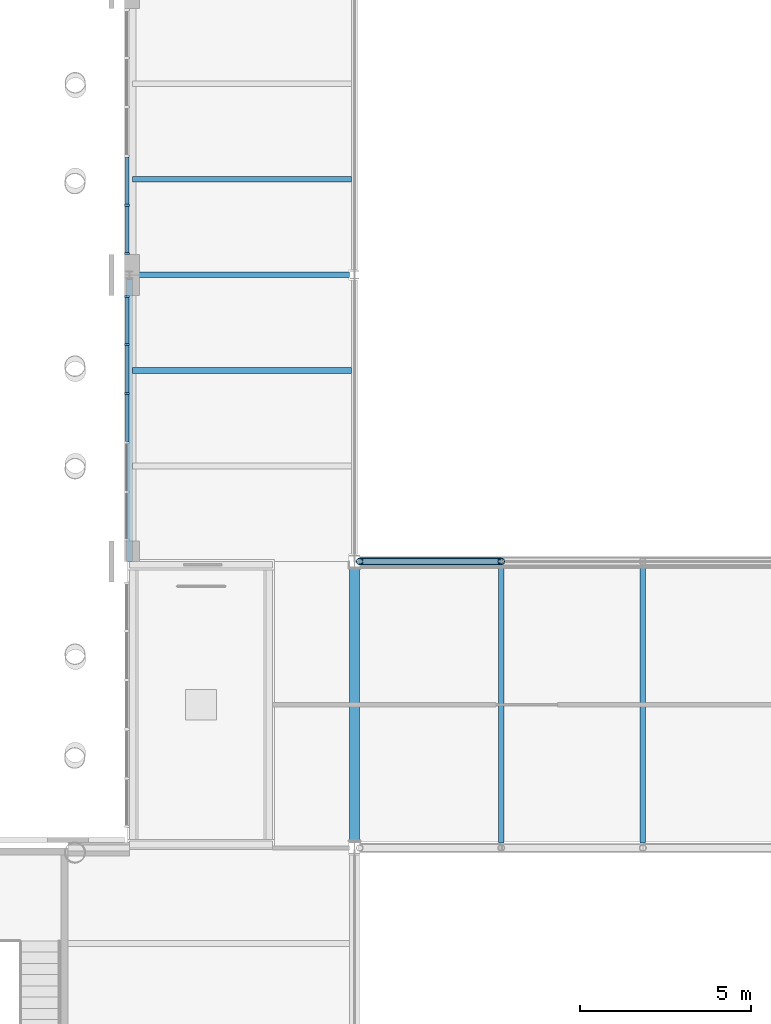
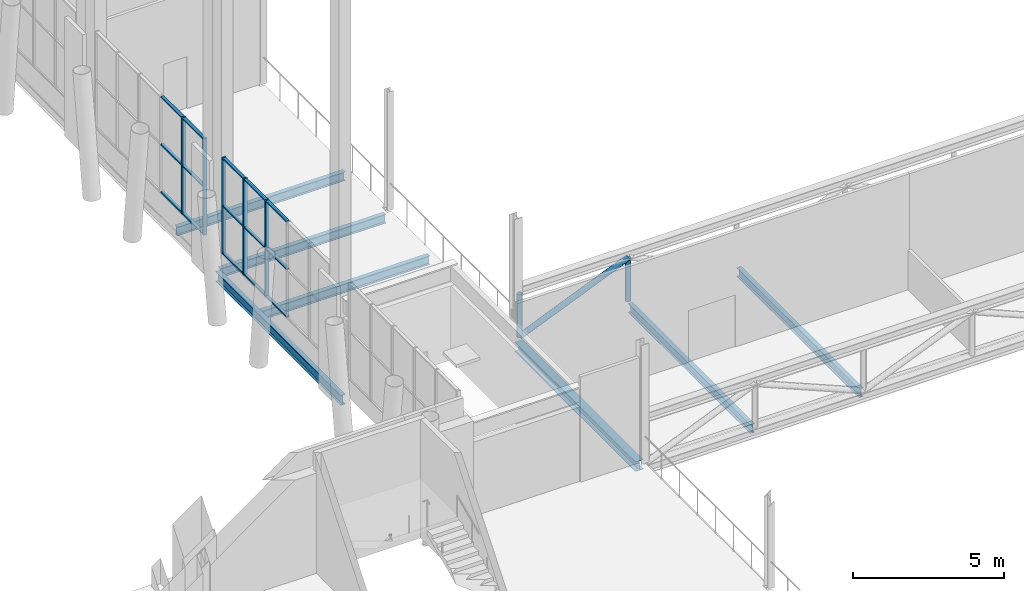
# One storey, part 15 of 76: 23 members, 7 beams, 2 elements without a shape of their own.
"""IFC4 building model written with IfcOpenShell, lengths in metres."""

from ifc_helpers import new_model, si_unit, direction, frame, origin, origin_2d, place, context, subcontext, project, spatial, rectangle, hollow_circle, i_section, extrude, material, material_profile, profile_set, type_object, element, aggregate, save


model = new_model("IFC4")

# Units and contexts
model_context = context("Model", 3, precision=1e-05, world=origin(), true_north=direction((0.0, 1.0)))
body_context = subcontext(model_context, "Body", "Model", "MODEL_VIEW")
ifc_project = project(units=[si_unit("LENGTHUNIT", "METRE"), si_unit("AREAUNIT", "SQUARE_METRE"), si_unit("VOLUMEUNIT", "CUBIC_METRE"), si_unit("PLANEANGLEUNIT", "RADIAN"), si_unit("MASSUNIT", "GRAM", prefix="KILO")], contexts=[model_context])

# Site, building, storey
site_placement = place(None, origin())
site = spatial("IfcSite", under=ifc_project, at=site_placement, CompositionType="ELEMENT")
building_placement = place(site_placement, origin())
building = spatial("IfcBuilding", under=site, at=building_placement, Name="Sava Quay Ferry Terminal", CompositionType="ELEMENT")
storey_placement = place(building_placement, frame((0.0, 0.0, 6.0)))
storey = spatial("IfcBuildingStorey", under=building, at=storey_placement, Name="L01", CompositionType="ELEMENT", Elevation=6.0)

# Beams
ifc_material_1 = material(Name="Steel S355", Category="steel")
ifc_material_profile_1 = material_profile(ifc_material_1, i_section(OverallWidth=0.169921875, OverallDepth=0.360107421875, WebThickness=0.008056640625, FlangeThickness=0.0126953125, at=origin_2d()), Name="IPE 360")
ifc_profile_set_1 = profile_set([ifc_material_profile_1], Name="Steel S355")
beam_type_1 = type_object("IfcBeamType", Name="Beam IPE 360", PredefinedType="BEAM", material=ifc_profile_set_1)
beam_1_placement = place(storey_placement, frame((43.919921875, 67.199951171875, -0.31005859375), z_axis=(1.0, 0.0, 0.0), x_axis=(0.0, 1.0, 0.0)))
element("IfcBeam", 1, at=beam_1_placement, inside=storey, type_object=beam_type_1, Name="Beam L01", PredefinedType="BEAM", context=body_context, shape_type="SweptSolid", body=[
    extrude(i_section(OverallWidth=0.169921875, OverallDepth=0.360107421875, WebThickness=0.008056640625, FlangeThickness=0.0126953125, at=origin_2d()), origin(), (0.0, 0.0, 1.0), 6.330078125),
])
for number, where, z_axis, x_axis, name in (
    (2, (43.889892578125, 64.39990234375, -0.31005859375), (1.0, 0.0, 0.0), (0.0, 1.0, 0.0), "Secondary beam L01"),
    (3, (43.889892578125, 70.0, -0.31005859375), (1.0, 0.0, 0.0), (0.0, 1.0, 0.0), "Secondary beam L01"),
):
    element("IfcBeam", number, at=place(storey_placement, frame(where, z_axis=z_axis, x_axis=x_axis)), inside=storey, type_object=beam_type_1, Name=name, PredefinedType="BEAM", context=body_context, shape_type="SweptSolid", body=[
        extrude(i_section(OverallWidth=0.169921875, OverallDepth=0.360107421875, WebThickness=0.008056640625, FlangeThickness=0.0126953125, at=origin_2d()), origin(), (0.0, 0.0, 1.0), 6.420166015625),
    ])
for number, where, z_axis, x_axis, name in (
    (4, (54.699951171875, 50.550048828125, -0.31005859375), (0.0, 1.0, 0.0), (-1.0, 0.0, 0.0), "Truss floor beam"),
    (5, (58.85009765625, 50.550048828125, -0.31005859375), (0.0, 1.0, 0.0), (-1.0, 0.0, 0.0), "Truss floor beam"),
):
    element("IfcBeam", number, at=place(storey_placement, frame(where, z_axis=z_axis, x_axis=x_axis)), inside=storey, type_object=beam_type_1, Name=name, PredefinedType="BEAM", context=body_context, shape_type="SweptSolid", body=[
        extrude(i_section(OverallWidth=0.169921875, OverallDepth=0.360107421875, WebThickness=0.008056640625, FlangeThickness=0.0126953125, at=origin_2d()), origin(), (0.0, 0.0, 1.0), 8.099853515625),
    ])
ifc_material_2 = material(Name="Steel S355", Category="steel")
ifc_material_profile_2 = material_profile(ifc_material_2, i_section(OverallWidth=0.179931640625, OverallDepth=0.39990234375, WebThickness=0.008544921875, FlangeThickness=0.013427734375, at=origin_2d()), Name="IPE 400")
ifc_profile_set_2 = profile_set([ifc_material_profile_2], Name="Steel S355")
beam_type_2 = type_object("IfcBeamType", Name="Beam IPE 400", PredefinedType="BEAM", material=ifc_profile_set_2)
beam_2_placement = place(storey_placement, frame((43.800048828125, 58.800048828125, -0.330078125), z_axis=(0.0, 1.0, 0.0), x_axis=(-1.0, 0.0, 0.0)))
element("IfcBeam", 6, at=beam_2_placement, inside=storey, type_object=beam_type_2, Name="Girder L01", PredefinedType="BEAM", context=body_context, shape_type="SweptSolid", body=[
    extrude(i_section(OverallWidth=0.179931640625, OverallDepth=0.39990234375, WebThickness=0.008544921875, FlangeThickness=0.013427734375, at=origin_2d()), origin(), (0.0, 0.0, 1.0), 8.280029296875),
])

# Members
ifc_material_3 = material(Name="Steel S355", Category="steel")
ifc_material_profile_3 = material_profile(ifc_material_3, hollow_circle(Radius=0.096923828125, WallThickness=0.008056640625, at=origin_2d()), Name="CHS 193.7 x 8")
ifc_profile_set_3 = profile_set([ifc_material_profile_3], Name="Steel S355")
member_type_1 = type_object("IfcMemberType", Name="Brace CHS 193.7 x 8", PredefinedType="BRACE", material=ifc_profile_set_3)
for number, where, z_axis, x_axis, name in (
    (7, (50.550048828125, 58.800048828125, -0.1298828125), (0.0, 0.0, 1.0), (1.0, 0.0, 0.0), "Truss post 58.8"),
    (8, (54.699951171875, 58.800048828125, -0.1298828125), (0.0, 0.0, 1.0), (1.0, 0.0, 0.0), "Truss post 58.8"),
):
    element("IfcMember", number, at=place(storey_placement, frame(where, z_axis=z_axis, x_axis=x_axis)), inside=storey, type_object=member_type_1, Name=name, PredefinedType="BRACE", context=body_context, shape_type="SweptSolid", body=[
        extrude(hollow_circle(Radius=0.096923828125, WallThickness=0.008056640625, at=origin_2d()), origin(), (0.0, 0.0, 1.0), 1.739990234375),
    ])
ifc_material_4 = material(Name="Steel S355", Category="steel")
ifc_material_profile_4 = material_profile(ifc_material_4, hollow_circle(Radius=0.109619140625, WallThickness=0.010009765625, at=origin_2d()), Name="CHS 219.1 x 10")
ifc_profile_set_4 = profile_set([ifc_material_profile_4], Name="Steel S355")
member_type_2 = type_object("IfcMemberType", Name="Brace CHS 219.1 x 10", PredefinedType="BRACE", material=ifc_profile_set_4)
member_1_placement = place(storey_placement, frame((50.550048828125, 58.800048828125, -0.1298828125), z_axis=(0.922217474343, 0.0, 0.386671604874), x_axis=(0.0, 1.0, 0.0)))
element("IfcMember", 9, at=member_1_placement, inside=storey, type_object=member_type_2, Name="Truss diagonal 58.8", PredefinedType="BRACE", context=body_context, shape_type="SweptSolid", body=[
    extrude(hollow_circle(Radius=0.109619140625, WallThickness=0.010009765625, at=origin_2d()), origin(), (0.0, 0.0, 1.0), 4.5),
])

# Beam
ifc_material_5 = material(Name="Steel S355", Category="steel")
ifc_material_profile_5 = material_profile(ifc_material_5, i_section(OverallWidth=0.300048828125, OverallDepth=0.389892578125, WebThickness=0.010986328125, FlangeThickness=0.01904296875, at=origin_2d()), Name="HE 400 A")
ifc_profile_set_5 = profile_set([ifc_material_profile_5], Name="Steel S355")
beam_type_3 = type_object("IfcBeamType", Name="Girder HE 400 A", PredefinedType="BEAM", material=ifc_profile_set_5)
beam_3_placement = place(storey_placement, frame((50.39990234375, 50.60009765625, -0.324951171875), z_axis=(0.0, 1.0, 0.0), x_axis=(-1.0, 0.0, 0.0)))
element("IfcBeam", 10, at=beam_3_placement, inside=storey, type_object=beam_type_3, Name="Girder L01", PredefinedType="BEAM", context=body_context, shape_type="SweptSolid", body=[
    extrude(i_section(OverallWidth=0.300048828125, OverallDepth=0.389892578125, WebThickness=0.010986328125, FlangeThickness=0.01904296875, at=origin_2d()), origin(), (0.0, 0.0, 1.0), 8.0),
])

# Curtain wall, members
ifc_material_6 = material(Name="Aluminium and glass curtain wall, double low-e glazed", Category="aluminium")
curtain_wall_type = type_object("IfcCurtainWallType", Name="Curtain wall CW-F flank", PredefinedType="NOTDEFINED", material=ifc_material_6)
curtain_wall_1_placement = place(storey_placement, origin())
curtain_wall_1 = element("IfcCurtainWall", 11, at=curtain_wall_1_placement, inside=storey, type_object=curtain_wall_type, Name="Curtain wall D-W L01 bay 2", PredefinedType="NOTDEFINED")
ifc_material_7 = material(Name="Aluminium EN AW-6063 T6", Category="aluminium")
ifc_material_profile_6 = material_profile(ifc_material_7, rectangle(XDim=0.14990234375, YDim=0.06005859375, at=origin_2d()), Name="Mullion 60x150 aluminium")
ifc_profile_set_6 = profile_set([ifc_material_profile_6], Name="Aluminium EN AW-6063 T6")
member_type_3 = type_object("IfcMemberType", Name="Mullion 60x150 aluminium", PredefinedType="MULLION", material=ifc_profile_set_6)
member_2_placement = place(storey_placement, frame((43.72509765625, 63.719970703125, 0.89990234375), z_axis=(0.0, 0.0, 1.0), x_axis=(-1.0, 0.0, 0.0)))
member_2 = element("IfcMember", 12, at=member_2_placement, type_object=member_type_3, Name="CW100 mullion 4", PredefinedType="MULLION", context=body_context, shape_type="SweptSolid", body=[
    extrude(rectangle(XDim=0.14990234375, YDim=0.06005859375, at=origin_2d()), origin(), (0.0, 0.0, 1.0), 3.900146484375),
])
member_3_placement = place(storey_placement, frame((43.72509765625, 65.159912109375, 0.89990234375), z_axis=(0.0, 0.0, 1.0), x_axis=(-1.0, 0.0, 0.0)))
member_3 = element("IfcMember", 13, at=member_3_placement, type_object=member_type_3, Name="CW100 mullion 5", PredefinedType="MULLION", context=body_context, shape_type="SweptSolid", body=[
    extrude(rectangle(XDim=0.14990234375, YDim=0.06005859375, at=origin_2d()), origin(), (0.0, 0.0, 1.0), 3.900146484375),
])
member_4_placement = place(storey_placement, frame((43.72509765625, 66.570068359375, 0.89990234375), z_axis=(0.0, 0.0, 1.0), x_axis=(-1.0, 0.0, 0.0)))
member_4 = element("IfcMember", 14, at=member_4_placement, type_object=member_type_3, Name="CW100 mullion 6", PredefinedType="MULLION", context=body_context, shape_type="SweptSolid", body=[
    extrude(rectangle(XDim=0.14990234375, YDim=0.06005859375, at=origin_2d()), origin(), (0.0, 0.0, 1.0), 3.900146484375),
])

curtain_wall_2_placement = place(storey_placement, origin())
curtain_wall_2 = element("IfcCurtainWall", 15, at=curtain_wall_2_placement, inside=storey, type_object=curtain_wall_type, Name="Curtain wall D-W L01 bay 3", PredefinedType="NOTDEFINED")
member_5_placement = place(storey_placement, frame((43.72509765625, 67.830078125, 0.89990234375), z_axis=(0.0, 0.0, 1.0), x_axis=(-1.0, 0.0, 0.0)))
member_5 = element("IfcMember", 16, at=member_5_placement, type_object=member_type_3, Name="CW104 mullion 1", PredefinedType="MULLION", context=body_context, shape_type="SweptSolid", body=[
    extrude(rectangle(XDim=0.14990234375, YDim=0.06005859375, at=origin_2d()), origin(), (0.0, 0.0, 1.0), 3.900146484375),
])
member_6_placement = place(storey_placement, frame((43.72509765625, 69.239990234375, 0.89990234375), z_axis=(0.0, 0.0, 1.0), x_axis=(-1.0, 0.0, 0.0)))
member_6 = element("IfcMember", 17, at=member_6_placement, type_object=member_type_3, Name="CW104 mullion 2", PredefinedType="MULLION", context=body_context, shape_type="SweptSolid", body=[
    extrude(rectangle(XDim=0.14990234375, YDim=0.06005859375, at=origin_2d()), origin(), (0.0, 0.0, 1.0), 3.900146484375),
])

# Member
ifc_material_8 = material(Name="Aluminium EN AW-6063 T6", Category="aluminium")
ifc_material_profile_7 = material_profile(ifc_material_8, rectangle(XDim=0.1201171875, YDim=0.050048828125, at=origin_2d()), Name="Transom 50x120 aluminium")
ifc_profile_set_7 = profile_set([ifc_material_profile_7], Name="Aluminium EN AW-6063 T6")
member_type_4 = type_object("IfcMemberType", Name="Transom 50x120 aluminium", PredefinedType="USERDEFINED", material=ifc_profile_set_7)
member_7_placement = place(storey_placement, frame((43.72509765625, 62.31005859375, 0.925048828125), z_axis=(0.0, 1.0, 0.0), x_axis=(-1.0, 0.0, 0.0)))
member_7 = element("IfcMember", 18, at=member_7_placement, type_object=member_type_4, Name="CW100 transom 3.1", ObjectType="TRANSOM", PredefinedType="USERDEFINED", context=body_context, shape_type="SweptSolid", body=[
    extrude(rectangle(XDim=0.1201171875, YDim=0.050048828125, at=origin_2d()), origin(), (0.0, 0.0, 1.0), 1.3798828125),
])

member_8_placement = place(storey_placement, frame((43.72509765625, 62.31005859375, 2.85009765625), z_axis=(0.0, 1.0, 0.0), x_axis=(-1.0, 0.0, 0.0)))
member_8 = element("IfcMember", 19, at=member_8_placement, type_object=member_type_4, Name="CW100 transom 3.2", ObjectType="TRANSOM", PredefinedType="USERDEFINED", context=body_context, shape_type="SweptSolid", body=[
    extrude(rectangle(XDim=0.1201171875, YDim=0.050048828125, at=origin_2d()), origin(), (0.0, 0.0, 1.0), 1.3798828125),
])

member_9_placement = place(storey_placement, frame((43.72509765625, 62.31005859375, 4.77490234375), z_axis=(0.0, 1.0, 0.0), x_axis=(-1.0, 0.0, 0.0)))
member_9 = element("IfcMember", 20, at=member_9_placement, type_object=member_type_4, Name="CW100 transom 3.3", ObjectType="TRANSOM", PredefinedType="USERDEFINED", context=body_context, shape_type="SweptSolid", body=[
    extrude(rectangle(XDim=0.1201171875, YDim=0.050048828125, at=origin_2d()), origin(), (0.0, 0.0, 1.0), 1.3798828125),
])

member_10_placement = place(storey_placement, frame((43.72509765625, 63.75, 0.925048828125), z_axis=(0.0, 1.0, 0.0), x_axis=(-1.0, 0.0, 0.0)))
member_10 = element("IfcMember", 21, at=member_10_placement, type_object=member_type_4, Name="CW100 transom 4.1", ObjectType="TRANSOM", PredefinedType="USERDEFINED", context=body_context, shape_type="SweptSolid", body=[
    extrude(rectangle(XDim=0.1201171875, YDim=0.050048828125, at=origin_2d()), origin(), (0.0, 0.0, 1.0), 1.3798828125),
])

member_11_placement = place(storey_placement, frame((43.72509765625, 63.75, 2.85009765625), z_axis=(0.0, 1.0, 0.0), x_axis=(-1.0, 0.0, 0.0)))
member_11 = element("IfcMember", 22, at=member_11_placement, type_object=member_type_4, Name="CW100 transom 4.2", ObjectType="TRANSOM", PredefinedType="USERDEFINED", context=body_context, shape_type="SweptSolid", body=[
    extrude(rectangle(XDim=0.1201171875, YDim=0.050048828125, at=origin_2d()), origin(), (0.0, 0.0, 1.0), 1.3798828125),
])

member_12_placement = place(storey_placement, frame((43.72509765625, 63.75, 4.77490234375), z_axis=(0.0, 1.0, 0.0), x_axis=(-1.0, 0.0, 0.0)))
member_12 = element("IfcMember", 23, at=member_12_placement, type_object=member_type_4, Name="CW100 transom 4.3", ObjectType="TRANSOM", PredefinedType="USERDEFINED", context=body_context, shape_type="SweptSolid", body=[
    extrude(rectangle(XDim=0.1201171875, YDim=0.050048828125, at=origin_2d()), origin(), (0.0, 0.0, 1.0), 1.3798828125),
])

member_13_placement = place(storey_placement, frame((43.72509765625, 65.18994140625, 0.925048828125), z_axis=(0.0, 1.0, 0.0), x_axis=(-1.0, 0.0, 0.0)))
member_13 = element("IfcMember", 24, at=member_13_placement, type_object=member_type_4, Name="CW100 transom 5.1", ObjectType="TRANSOM", PredefinedType="USERDEFINED", context=body_context, shape_type="SweptSolid", body=[
    extrude(rectangle(XDim=0.1201171875, YDim=0.050048828125, at=origin_2d()), origin(), (0.0, 0.0, 1.0), 1.35009765625),
])

member_14_placement = place(storey_placement, frame((43.72509765625, 65.18994140625, 2.85009765625), z_axis=(0.0, 1.0, 0.0), x_axis=(-1.0, 0.0, 0.0)))
member_14 = element("IfcMember", 25, at=member_14_placement, type_object=member_type_4, Name="CW100 transom 5.2", ObjectType="TRANSOM", PredefinedType="USERDEFINED", context=body_context, shape_type="SweptSolid", body=[
    extrude(rectangle(XDim=0.1201171875, YDim=0.050048828125, at=origin_2d()), origin(), (0.0, 0.0, 1.0), 1.35009765625),
])

member_15_placement = place(storey_placement, frame((43.72509765625, 65.18994140625, 4.77490234375), z_axis=(0.0, 1.0, 0.0), x_axis=(-1.0, 0.0, 0.0)))
member_15 = element("IfcMember", 26, at=member_15_placement, type_object=member_type_4, Name="CW100 transom 5.3", ObjectType="TRANSOM", PredefinedType="USERDEFINED", context=body_context, shape_type="SweptSolid", body=[
    extrude(rectangle(XDim=0.1201171875, YDim=0.050048828125, at=origin_2d()), origin(), (0.0, 0.0, 1.0), 1.35009765625),
])

aggregate(curtain_wall_1, [member_2, member_3, member_4, member_7, member_8, member_9, member_10, member_11, member_12, member_13, member_14, member_15])

member_16_placement = place(storey_placement, frame((43.72509765625, 67.860107421875, 0.925048828125), z_axis=(0.0, 1.0, 0.0), x_axis=(-1.0, 0.0, 0.0)))
member_16 = element("IfcMember", 27, at=member_16_placement, type_object=member_type_4, Name="CW104 transom 1.1", ObjectType="TRANSOM", PredefinedType="USERDEFINED", context=body_context, shape_type="SweptSolid", body=[
    extrude(rectangle(XDim=0.1201171875, YDim=0.050048828125, at=origin_2d()), origin(), (0.0, 0.0, 1.0), 1.349853515625),
])

member_17_placement = place(storey_placement, frame((43.72509765625, 67.860107421875, 2.85009765625), z_axis=(0.0, 1.0, 0.0), x_axis=(-1.0, 0.0, 0.0)))
member_17 = element("IfcMember", 28, at=member_17_placement, type_object=member_type_4, Name="CW104 transom 1.2", ObjectType="TRANSOM", PredefinedType="USERDEFINED", context=body_context, shape_type="SweptSolid", body=[
    extrude(rectangle(XDim=0.1201171875, YDim=0.050048828125, at=origin_2d()), origin(), (0.0, 0.0, 1.0), 1.349853515625),
])

member_18_placement = place(storey_placement, frame((43.72509765625, 67.860107421875, 4.77490234375), z_axis=(0.0, 1.0, 0.0), x_axis=(-1.0, 0.0, 0.0)))
member_18 = element("IfcMember", 29, at=member_18_placement, type_object=member_type_4, Name="CW104 transom 1.3", ObjectType="TRANSOM", PredefinedType="USERDEFINED", context=body_context, shape_type="SweptSolid", body=[
    extrude(rectangle(XDim=0.1201171875, YDim=0.050048828125, at=origin_2d()), origin(), (0.0, 0.0, 1.0), 1.349853515625),
])

member_19_placement = place(storey_placement, frame((43.72509765625, 69.27001953125, 0.925048828125), z_axis=(0.0, 1.0, 0.0), x_axis=(-1.0, 0.0, 0.0)))
member_19 = element("IfcMember", 30, at=member_19_placement, type_object=member_type_4, Name="CW104 transom 2.1", ObjectType="TRANSOM", PredefinedType="USERDEFINED", context=body_context, shape_type="SweptSolid", body=[
    extrude(rectangle(XDim=0.1201171875, YDim=0.050048828125, at=origin_2d()), origin(), (0.0, 0.0, 1.0), 1.3798828125),
])

member_20_placement = place(storey_placement, frame((43.72509765625, 69.27001953125, 2.85009765625), z_axis=(0.0, 1.0, 0.0), x_axis=(-1.0, 0.0, 0.0)))
member_20 = element("IfcMember", 31, at=member_20_placement, type_object=member_type_4, Name="CW104 transom 2.2", ObjectType="TRANSOM", PredefinedType="USERDEFINED", context=body_context, shape_type="SweptSolid", body=[
    extrude(rectangle(XDim=0.1201171875, YDim=0.050048828125, at=origin_2d()), origin(), (0.0, 0.0, 1.0), 1.3798828125),
])

member_21_placement = place(storey_placement, frame((43.72509765625, 69.27001953125, 4.77490234375), z_axis=(0.0, 1.0, 0.0), x_axis=(-1.0, 0.0, 0.0)))
member_21 = element("IfcMember", 32, at=member_21_placement, type_object=member_type_4, Name="CW104 transom 2.3", ObjectType="TRANSOM", PredefinedType="USERDEFINED", context=body_context, shape_type="SweptSolid", body=[
    extrude(rectangle(XDim=0.1201171875, YDim=0.050048828125, at=origin_2d()), origin(), (0.0, 0.0, 1.0), 1.3798828125),
])

aggregate(curtain_wall_2, [member_5, member_6, member_16, member_17, member_18, member_19, member_20, member_21])

save(model, "model.ifc")
